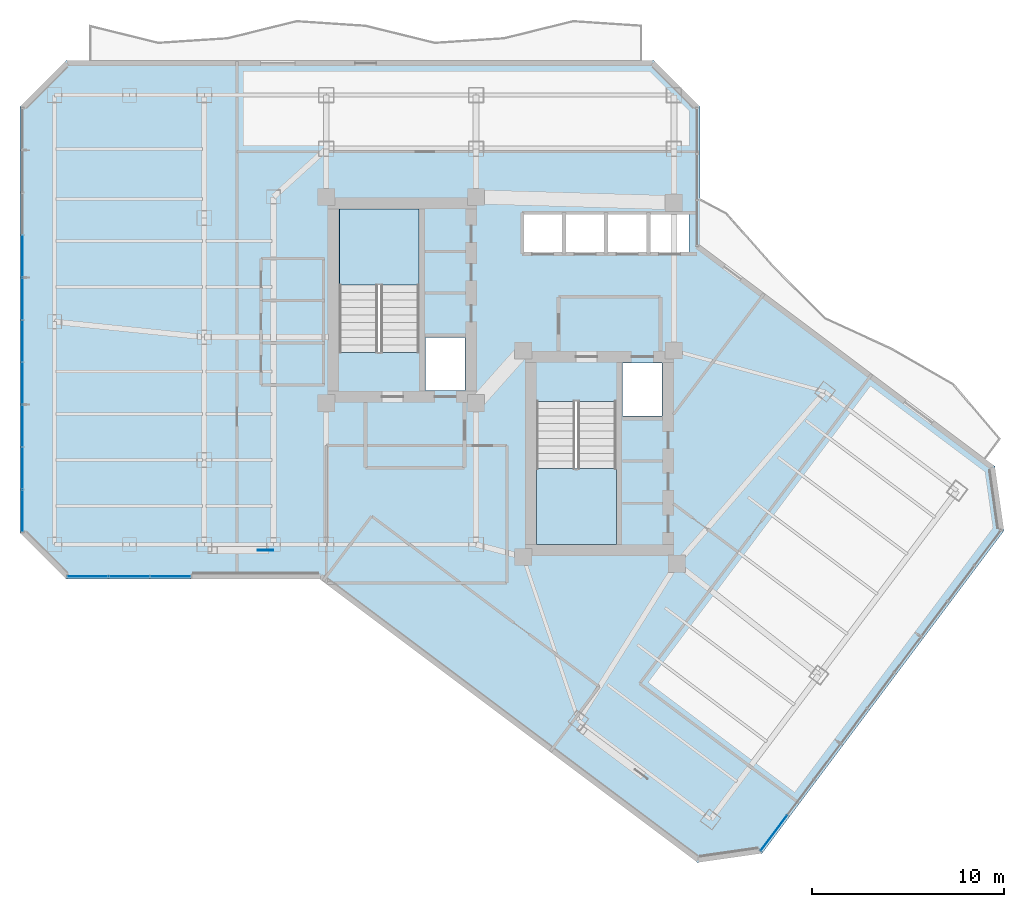
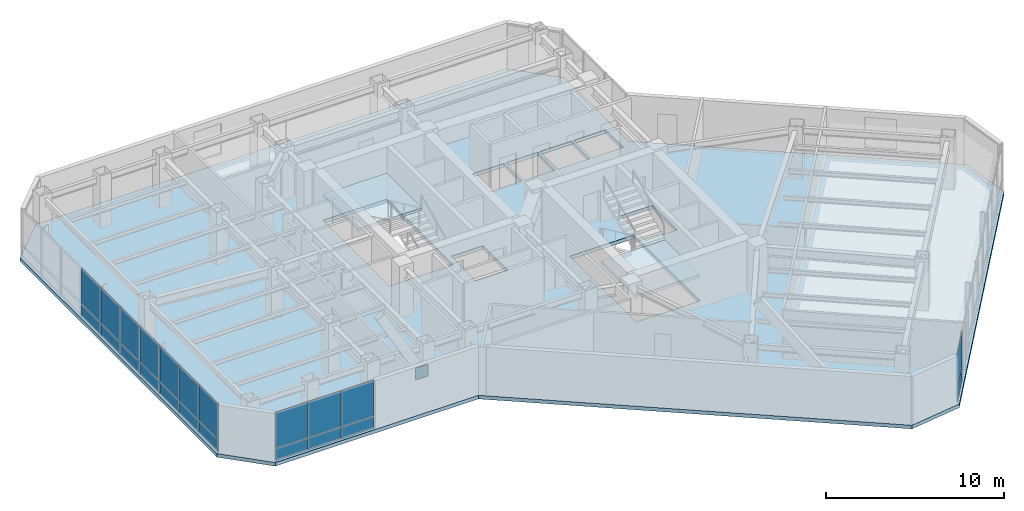
# One storey, part 20 of 28: 23 plates, 3 slabs, 5 elements without a shape of their own.
"""IFC4 building model written with IfcOpenShell, lengths in metres."""

from ifc_helpers import new_model, si_unit, direction, frame, origin, origin_2d, place, context, subcontext, project, spatial, polyline, rectangle, outline, extrude, material, layer, layer_set, type_object, element, aggregate, save


model = new_model("IFC4")

# Units and contexts
model_context = context("Model", 3, precision=1e-05, world=origin(), true_north=direction((0.0, 1.0)))
body_context = subcontext(model_context, "Body", "Model", "MODEL_VIEW")
ifc_project = project(units=[si_unit("LENGTHUNIT", "METRE"), si_unit("AREAUNIT", "SQUARE_METRE"), si_unit("VOLUMEUNIT", "CUBIC_METRE"), si_unit("PLANEANGLEUNIT", "RADIAN"), si_unit("MASSUNIT", "GRAM", prefix="KILO")], contexts=[model_context])

# Site, building, storey
site_placement = place(None, origin())
site = spatial("IfcSite", under=ifc_project, at=site_placement, CompositionType="ELEMENT")
building_placement = place(site_placement, origin())
building = spatial("IfcBuilding", under=site, at=building_placement, Name="Hatsunagi Terrace Concourse", CompositionType="ELEMENT")
storey_placement = place(building_placement, frame((0.0, 0.0, 170.85009765625)))
storey = spatial("IfcBuildingStorey", under=building, at=storey_placement, Name="L45", CompositionType="ELEMENT", Elevation=170.85009765625)

# Curtain wall, plate
ifc_material_1 = material(Name="Anodised Aluminium Alloy 6063-T5", Category="aluminium")
ifc_layer_1 = layer(ifc_material_1, 0.199951171875)
ifc_layer_set_1 = layer_set([ifc_layer_1], Name="OfficeZone1_CW03")
curtain_wall_type = type_object("IfcCurtainWallType", Name="OfficeZone1_CW03", PredefinedType="NOTDEFINED", material=ifc_layer_set_1)
curtain_wall_1_placement = place(storey_placement, origin())
curtain_wall_1 = element("IfcCurtainWall", 1, at=curtain_wall_1_placement, inside=storey, type_object=curtain_wall_type, Name="Unitised Curtain Wall CW-03 CW-L45-03", PredefinedType="NOTDEFINED")
ifc_material_2 = material(Name="Warm Terracotta Ceramic Spandrel Panel", Category="masonry")
ifc_layer_2 = layer(ifc_material_2, 0.031982421875)
ifc_layer_set_2 = layer_set([ifc_layer_2], Name="CurtainWallSpandrelPanel_32")
plate_type_1 = type_object("IfcPlateType", Name="CurtainWallSpandrelPanel_32", PredefinedType="SHEET", material=ifc_layer_set_2)
plate_1_placement = place(storey_placement, frame((48.85888671875, 10.177978515625, 0.02978515625), z_axis=(0.0, 0.0, 1.0), x_axis=(-0.599969314634, -0.800023013105, 0.0)))
plate_1 = element("IfcPlate", 2, at=plate_1_placement, type_object=plate_type_1, Name="Terracotta Spandrel Panel SPN-01", PredefinedType="SHEET", context=body_context, shape_type="SweptSolid", body=[
    extrude(rectangle(XDim=2.264892578125, YDim=0.031982421875, at=origin_2d()), origin(), (0.0, 0.0, 1.0), 0.7900390625),
])

# Curtain wall, plates
curtain_wall_2_placement = place(storey_placement, origin())
curtain_wall_2 = element("IfcCurtainWall", 3, at=curtain_wall_2_placement, inside=storey, type_object=curtain_wall_type, Name="Unitised Curtain Wall CW-03 CW-L45-07", PredefinedType="NOTDEFINED")
plate_2_placement = place(storey_placement, frame((17.426025390625, 23.5400390625, 0.02978515625), z_axis=(0.0, 0.0, 1.0), x_axis=(-1.0, 0.0, 0.0)))
plate_2 = element("IfcPlate", 4, at=plate_2_placement, type_object=plate_type_1, Name="Terracotta Spandrel Panel SPN-01", PredefinedType="SHEET", context=body_context, shape_type="SweptSolid", body=[
    extrude(rectangle(XDim=2.092041015625, YDim=0.031982421875, at=origin_2d()), origin(), (0.0, 0.0, 1.0), 0.7900390625),
])
plate_3_placement = place(storey_placement, frame((15.279052734375, 23.5400390625, 0.02978515625), z_axis=(0.0, 0.0, 1.0), x_axis=(-1.0, 0.0, 0.0)))
plate_3 = element("IfcPlate", 5, at=plate_3_placement, type_object=plate_type_1, Name="Terracotta Spandrel Panel SPN-01", PredefinedType="SHEET", context=body_context, shape_type="SweptSolid", body=[
    extrude(rectangle(XDim=2.092041015625, YDim=0.031982421875, at=origin_2d()), origin(), (0.0, 0.0, 1.0), 0.7900390625),
])
plate_4_placement = place(storey_placement, frame((13.132080078125, 23.5400390625, 0.02978515625), z_axis=(0.0, 0.0, 1.0), x_axis=(-1.0, 0.0, 0.0)))
plate_4 = element("IfcPlate", 6, at=plate_4_placement, type_object=plate_type_1, Name="Terracotta Spandrel Panel SPN-01", PredefinedType="SHEET", context=body_context, shape_type="SweptSolid", body=[
    extrude(rectangle(XDim=2.092041015625, YDim=0.031982421875, at=origin_2d()), origin(), (0.0, 0.0, 1.0), 0.7900390625),
])

curtain_wall_3_placement = place(storey_placement, origin())
curtain_wall_3 = element("IfcCurtainWall", 7, at=curtain_wall_3_placement, inside=storey, type_object=curtain_wall_type, Name="Unitised Curtain Wall CW-03 CW-L45-09", PredefinedType="NOTDEFINED")
plate_5_placement = place(storey_placement, frame((9.739990234375, 26.9619140625, 0.02978515625), z_axis=(0.0, 0.0, 1.0), x_axis=(0.0, 1.0, 0.0)))
plate_5 = element("IfcPlate", 8, at=plate_5_placement, type_object=plate_type_1, Name="Terracotta Spandrel Panel SPN-01", PredefinedType="SHEET", context=body_context, shape_type="SweptSolid", body=[
    extrude(rectangle(XDim=2.153076171875, YDim=0.031982421875, at=origin_2d()), origin(), (0.0, 0.0, 1.0), 0.7900390625),
])
plate_6_placement = place(storey_placement, frame((9.739990234375, 29.1708984375, 0.02978515625), z_axis=(0.0, 0.0, 1.0), x_axis=(0.0, 1.0, 0.0)))
plate_6 = element("IfcPlate", 9, at=plate_6_placement, type_object=plate_type_1, Name="Terracotta Spandrel Panel SPN-01", PredefinedType="SHEET", context=body_context, shape_type="SweptSolid", body=[
    extrude(rectangle(XDim=2.153076171875, YDim=0.031982421875, at=origin_2d()), origin(), (0.0, 0.0, 1.0), 0.7900390625),
])
plate_7_placement = place(storey_placement, frame((9.739990234375, 31.37890625, 0.02978515625), z_axis=(0.0, 0.0, 1.0), x_axis=(0.0, 1.0, 0.0)))
plate_7 = element("IfcPlate", 10, at=plate_7_placement, type_object=plate_type_1, Name="Terracotta Spandrel Panel SPN-01", PredefinedType="SHEET", context=body_context, shape_type="SweptSolid", body=[
    extrude(rectangle(XDim=2.153076171875, YDim=0.031982421875, at=origin_2d()), origin(), (0.0, 0.0, 1.0), 0.7900390625),
])
plate_8_placement = place(storey_placement, frame((9.739990234375, 33.5869140625, 0.02978515625), z_axis=(0.0, 0.0, 1.0), x_axis=(0.0, 1.0, 0.0)))
plate_8 = element("IfcPlate", 11, at=plate_8_placement, type_object=plate_type_1, Name="Terracotta Spandrel Panel SPN-01", PredefinedType="SHEET", context=body_context, shape_type="SweptSolid", body=[
    extrude(rectangle(XDim=2.153076171875, YDim=0.031982421875, at=origin_2d()), origin(), (0.0, 0.0, 1.0), 0.7900390625),
])
plate_9_placement = place(storey_placement, frame((9.739990234375, 35.7958984375, 0.02978515625), z_axis=(0.0, 0.0, 1.0), x_axis=(0.0, 1.0, 0.0)))
plate_9 = element("IfcPlate", 12, at=plate_9_placement, type_object=plate_type_1, Name="Terracotta Spandrel Panel SPN-01", PredefinedType="SHEET", context=body_context, shape_type="SweptSolid", body=[
    extrude(rectangle(XDim=2.153076171875, YDim=0.031982421875, at=origin_2d()), origin(), (0.0, 0.0, 1.0), 0.7900390625),
])
plate_10_placement = place(storey_placement, frame((9.739990234375, 38.00390625, 0.02978515625), z_axis=(0.0, 0.0, 1.0), x_axis=(0.0, 1.0, 0.0)))
plate_10 = element("IfcPlate", 13, at=plate_10_placement, type_object=plate_type_1, Name="Terracotta Spandrel Panel SPN-01", PredefinedType="SHEET", context=body_context, shape_type="SweptSolid", body=[
    extrude(rectangle(XDim=2.153076171875, YDim=0.031982421875, at=origin_2d()), origin(), (0.0, 0.0, 1.0), 0.7900390625),
])
plate_11_placement = place(storey_placement, frame((9.739990234375, 40.212890625, 0.02978515625), z_axis=(0.0, 0.0, 1.0), x_axis=(0.0, 1.0, 0.0)))
plate_11 = element("IfcPlate", 14, at=plate_11_placement, type_object=plate_type_1, Name="Terracotta Spandrel Panel SPN-01", PredefinedType="SHEET", context=body_context, shape_type="SweptSolid", body=[
    extrude(rectangle(XDim=2.153076171875, YDim=0.031982421875, at=origin_2d()), origin(), (0.0, 0.0, 1.0), 0.7900390625),
])

# Plate
ifc_material_3 = material(Name="Low-E Double Insulating Glass 28mm", Category="glass")
ifc_layer_3 = layer(ifc_material_3, 0.028076171875)
ifc_layer_set_3 = layer_set([ifc_layer_3], Name="CurtainWallVisionGlass_28")
plate_type_2 = type_object("IfcPlateType", Name="CurtainWallVisionGlass_28", PredefinedType="CURTAIN_PANEL", material=ifc_layer_set_3)
plate_12_placement = place(storey_placement, frame((48.85888671875, 10.177978515625, 0.8798828125), z_axis=(0.0, 0.0, 1.0), x_axis=(-0.599969314634, -0.800023013105, 0.0)))
plate_12 = element("IfcPlate", 15, at=plate_12_placement, type_object=plate_type_2, Name="Low-E Vision Glass Panel GLZ-01", PredefinedType="CURTAIN_PANEL", context=body_context, shape_type="SweptSolid", body=[
    extrude(rectangle(XDim=2.264892578125, YDim=0.028076171875, at=origin_2d()), origin(), (0.0, 0.0, 1.0), 2.43994140625),
])

aggregate(curtain_wall_1, [plate_1, plate_12])

plate_13_placement = place(storey_placement, frame((17.426025390625, 23.5400390625, 0.8798828125), z_axis=(0.0, 0.0, 1.0), x_axis=(-1.0, 0.0, 0.0)))
plate_13 = element("IfcPlate", 16, at=plate_13_placement, type_object=plate_type_2, Name="Low-E Vision Glass Panel GLZ-01", PredefinedType="CURTAIN_PANEL", context=body_context, shape_type="SweptSolid", body=[
    extrude(rectangle(XDim=2.092041015625, YDim=0.028076171875, at=origin_2d()), origin(), (0.0, 0.0, 1.0), 2.43994140625),
])

plate_14_placement = place(storey_placement, frame((15.279052734375, 23.5400390625, 0.8798828125), z_axis=(0.0, 0.0, 1.0), x_axis=(-1.0, 0.0, 0.0)))
plate_14 = element("IfcPlate", 17, at=plate_14_placement, type_object=plate_type_2, Name="Low-E Vision Glass Panel GLZ-01", PredefinedType="CURTAIN_PANEL", context=body_context, shape_type="SweptSolid", body=[
    extrude(rectangle(XDim=2.092041015625, YDim=0.028076171875, at=origin_2d()), origin(), (0.0, 0.0, 1.0), 2.43994140625),
])

plate_15_placement = place(storey_placement, frame((13.132080078125, 23.5400390625, 0.8798828125), z_axis=(0.0, 0.0, 1.0), x_axis=(-1.0, 0.0, 0.0)))
plate_15 = element("IfcPlate", 18, at=plate_15_placement, type_object=plate_type_2, Name="Low-E Vision Glass Panel GLZ-01", PredefinedType="CURTAIN_PANEL", context=body_context, shape_type="SweptSolid", body=[
    extrude(rectangle(XDim=2.092041015625, YDim=0.028076171875, at=origin_2d()), origin(), (0.0, 0.0, 1.0), 2.43994140625),
])

aggregate(curtain_wall_2, [plate_2, plate_13, plate_3, plate_14, plate_4, plate_15])

plate_16_placement = place(storey_placement, frame((9.739990234375, 26.9619140625, 0.8798828125), z_axis=(0.0, 0.0, 1.0), x_axis=(0.0, 1.0, 0.0)))
plate_16 = element("IfcPlate", 19, at=plate_16_placement, type_object=plate_type_2, Name="Low-E Vision Glass Panel GLZ-01", PredefinedType="CURTAIN_PANEL", context=body_context, shape_type="SweptSolid", body=[
    extrude(rectangle(XDim=2.153076171875, YDim=0.028076171875, at=origin_2d()), origin(), (0.0, 0.0, 1.0), 2.43994140625),
])

plate_17_placement = place(storey_placement, frame((9.739990234375, 29.1708984375, 0.8798828125), z_axis=(0.0, 0.0, 1.0), x_axis=(0.0, 1.0, 0.0)))
plate_17 = element("IfcPlate", 20, at=plate_17_placement, type_object=plate_type_2, Name="Low-E Vision Glass Panel GLZ-01", PredefinedType="CURTAIN_PANEL", context=body_context, shape_type="SweptSolid", body=[
    extrude(rectangle(XDim=2.153076171875, YDim=0.028076171875, at=origin_2d()), origin(), (0.0, 0.0, 1.0), 2.43994140625),
])

plate_18_placement = place(storey_placement, frame((9.739990234375, 31.37890625, 0.8798828125), z_axis=(0.0, 0.0, 1.0), x_axis=(0.0, 1.0, 0.0)))
plate_18 = element("IfcPlate", 21, at=plate_18_placement, type_object=plate_type_2, Name="Low-E Vision Glass Panel GLZ-01", PredefinedType="CURTAIN_PANEL", context=body_context, shape_type="SweptSolid", body=[
    extrude(rectangle(XDim=2.153076171875, YDim=0.028076171875, at=origin_2d()), origin(), (0.0, 0.0, 1.0), 2.43994140625),
])

plate_19_placement = place(storey_placement, frame((9.739990234375, 33.5869140625, 0.8798828125), z_axis=(0.0, 0.0, 1.0), x_axis=(0.0, 1.0, 0.0)))
plate_19 = element("IfcPlate", 22, at=plate_19_placement, type_object=plate_type_2, Name="Low-E Vision Glass Panel GLZ-01", PredefinedType="CURTAIN_PANEL", context=body_context, shape_type="SweptSolid", body=[
    extrude(rectangle(XDim=2.153076171875, YDim=0.028076171875, at=origin_2d()), origin(), (0.0, 0.0, 1.0), 2.43994140625),
])

plate_20_placement = place(storey_placement, frame((9.739990234375, 35.7958984375, 0.8798828125), z_axis=(0.0, 0.0, 1.0), x_axis=(0.0, 1.0, 0.0)))
plate_20 = element("IfcPlate", 23, at=plate_20_placement, type_object=plate_type_2, Name="Low-E Vision Glass Panel GLZ-01", PredefinedType="CURTAIN_PANEL", context=body_context, shape_type="SweptSolid", body=[
    extrude(rectangle(XDim=2.153076171875, YDim=0.028076171875, at=origin_2d()), origin(), (0.0, 0.0, 1.0), 2.43994140625),
])

plate_21_placement = place(storey_placement, frame((9.739990234375, 38.00390625, 0.8798828125), z_axis=(0.0, 0.0, 1.0), x_axis=(0.0, 1.0, 0.0)))
plate_21 = element("IfcPlate", 24, at=plate_21_placement, type_object=plate_type_2, Name="Low-E Vision Glass Panel GLZ-01", PredefinedType="CURTAIN_PANEL", context=body_context, shape_type="SweptSolid", body=[
    extrude(rectangle(XDim=2.153076171875, YDim=0.028076171875, at=origin_2d()), origin(), (0.0, 0.0, 1.0), 2.43994140625),
])

plate_22_placement = place(storey_placement, frame((9.739990234375, 40.212890625, 0.8798828125), z_axis=(0.0, 0.0, 1.0), x_axis=(0.0, 1.0, 0.0)))
plate_22 = element("IfcPlate", 25, at=plate_22_placement, type_object=plate_type_2, Name="Low-E Vision Glass Panel GLZ-01", PredefinedType="CURTAIN_PANEL", context=body_context, shape_type="SweptSolid", body=[
    extrude(rectangle(XDim=2.153076171875, YDim=0.028076171875, at=origin_2d()), origin(), (0.0, 0.0, 1.0), 2.43994140625),
])

aggregate(curtain_wall_3, [plate_5, plate_16, plate_6, plate_17, plate_7, plate_18, plate_8, plate_19, plate_9, plate_20, plate_10, plate_21, plate_11, plate_22])

# Stair, slab
ifc_material_4 = material(Name="Concrete Fc42", Category="concrete")
stair_type = type_object("IfcStairType", Name="DoglegExitStair_Tower2000_20R_180", PredefinedType="HALF_TURN_STAIR", material=ifc_material_4)
stair_1_placement = place(storey_placement, origin())
stair_1 = element("IfcStair", 26, at=stair_1_placement, inside=storey, type_object=stair_type, Name="L45 Core A Protected Exit Stair ST-A", PredefinedType="HALF_TURN_STAIR")
ifc_material_5 = material(Name="Concrete Fc42", Category="concrete")
ifc_layer_4 = layer(ifc_material_5, 0.199951171875)
ifc_layer_set_4 = layer_set([ifc_layer_4], Name="DoglegStairLanding_Tower2000")
slab_type_1 = type_object("IfcSlabType", Name="DoglegStairLanding_Tower2000", PredefinedType="LANDING", material=ifc_layer_set_4)
slab_1_placement = place(storey_placement, frame((0.0, 0.0, 1.599853515625)))
slab_1 = element("IfcSlab", 27, at=slab_1_placement, type_object=slab_type_1, Name="ST-A landing 1", PredefinedType="LANDING", context=body_context, shape_type="SweptSolid", body=[
    extrude(outline(polyline([(30.3798828125, 38.7099609375), (30.3798828125, 42.659912109375), (26.22998046875, 42.659912109375), (26.22998046875, 38.7099609375), (30.3798828125, 38.7099609375)])), origin(), (0.0, 0.0, 1.0), 0.199951171875),
])
aggregate(stair_1, [slab_1])

stair_2_placement = place(storey_placement, origin())
stair_2 = element("IfcStair", 28, at=stair_2_placement, inside=storey, type_object=stair_type, Name="L45 Core B Protected Exit Stair ST-B", PredefinedType="HALF_TURN_STAIR")
slab_2_placement = place(storey_placement, frame((0.0, 0.0, 1.599853515625)))
slab_2 = element("IfcSlab", 29, at=slab_2_placement, type_object=slab_type_1, Name="ST-B landing 1", PredefinedType="LANDING", context=body_context, shape_type="SweptSolid", body=[
    extrude(outline(polyline([(36.5, 29.14990234375), (36.5, 25.199951171875), (40.64990234375, 25.199951171875), (40.64990234375, 29.14990234375), (36.5, 29.14990234375)])), origin(), (0.0, 0.0, 1.0), 0.199951171875),
])
aggregate(stair_2, [slab_2])

# Slab
ifc_material_6 = material(Name="Concrete Fc42", Category="concrete")
ifc_layer_5 = layer(ifc_material_6, 0.25)
ifc_layer_set_5 = layer_set([ifc_layer_5], Name="OfficeCrownSlab_Fc42_250")
slab_type_2 = type_object("IfcSlabType", Name="OfficeCrownSlab_Fc42_250", PredefinedType="FLOOR", material=ifc_layer_set_5)
slab_3_placement = place(storey_placement, frame((0.0, 0.0, -0.25)))
element("IfcSlab", 30, at=slab_3_placement, inside=storey, type_object=slab_type_2, Name="Floor Slab SL-250 L45", PredefinedType="FLOOR", context=body_context, shape_type="SweptSolid", body=[
    extrude(outline(polyline([(45.0, 40.800048828125), (45.0, 48.0), (42.60009765625, 50.39990234375), (12.0, 50.39990234375), (9.60009765625, 48.0), (9.60009765625, 25.800048828125), (12.0, 23.39990234375), (25.199951171875, 23.39990234375), (44.8798828125, 8.639892578125), (48.239990234375, 9.1201171875), (60.840087890625, 25.919921875), (60.360107421875, 29.280029296875), (45.0, 40.800048828125)]), holes=[polyline([(26.22998046875, 35.205078125), (30.3798828125, 35.205078125), (30.3798828125, 42.659912109375), (26.22998046875, 42.659912109375), (26.22998046875, 35.205078125)]), polyline([(36.5, 25.199951171875), (40.64990234375, 25.199951171875), (40.64990234375, 32.655029296875), (36.5, 32.655029296875), (36.5, 25.199951171875)]), polyline([(30.719970703125, 33.219970703125), (32.780029296875, 33.219970703125), (32.780029296875, 35.97998046875), (30.719970703125, 35.97998046875), (30.719970703125, 33.219970703125)]), polyline([(40.97998046875, 31.8798828125), (43.02001953125, 31.8798828125), (43.02001953125, 34.639892578125), (40.97998046875, 34.639892578125), (40.97998046875, 31.8798828125)]), polyline([(35.800048828125, 40.39990234375), (37.85009765625, 40.39990234375), (37.85009765625, 42.39990234375), (35.800048828125, 42.39990234375), (35.800048828125, 40.39990234375)]), polyline([(38.0, 40.39990234375), (40.050048828125, 40.39990234375), (40.050048828125, 42.39990234375), (38.0, 42.39990234375), (38.0, 40.39990234375)]), polyline([(40.199951171875, 40.39990234375), (42.25, 40.39990234375), (42.25, 42.39990234375), (40.199951171875, 42.39990234375), (40.199951171875, 40.39990234375)]), polyline([(42.39990234375, 40.39990234375), (44.449951171875, 40.39990234375), (44.449951171875, 42.39990234375), (42.39990234375, 42.39990234375), (42.39990234375, 40.39990234375)])]), origin(), (0.0, 0.0, 1.0), 0.25),
])

# Plate
ifc_material_7 = material(Name="Steel SN490C", Category="steel")
ifc_layer_6 = layer(ifc_material_7, 0.031982421875)
ifc_layer_set_6 = layer_set([ifc_layer_6], Name="XBraceNodeCapPlate_32")
plate_type_3 = type_object("IfcPlateType", Name="XBraceNodeCapPlate_32", PredefinedType="USERDEFINED", material=ifc_layer_set_6)
plate_23_placement = place(storey_placement, frame((22.375, 24.89990234375, 1.27490234375), z_axis=(0.0, 0.0, 1.0), x_axis=(1.0, 0.0, 0.0)))
element("IfcPlate", 31, at=plate_23_placement, inside=storey, type_object=plate_type_3, Name="X-Brace Crossing Gusset Node Plate GP-02 XB-L44-W1", ObjectType="GUSSET_PLATE", PredefinedType="USERDEFINED", context=body_context, shape_type="SweptSolid", body=[
    extrude(rectangle(XDim=0.800048828125, YDim=0.031982421875, at=origin_2d()), origin(), (0.0, 0.0, 1.0), 0.800048828125),
])

save(model, "model.ifc")
